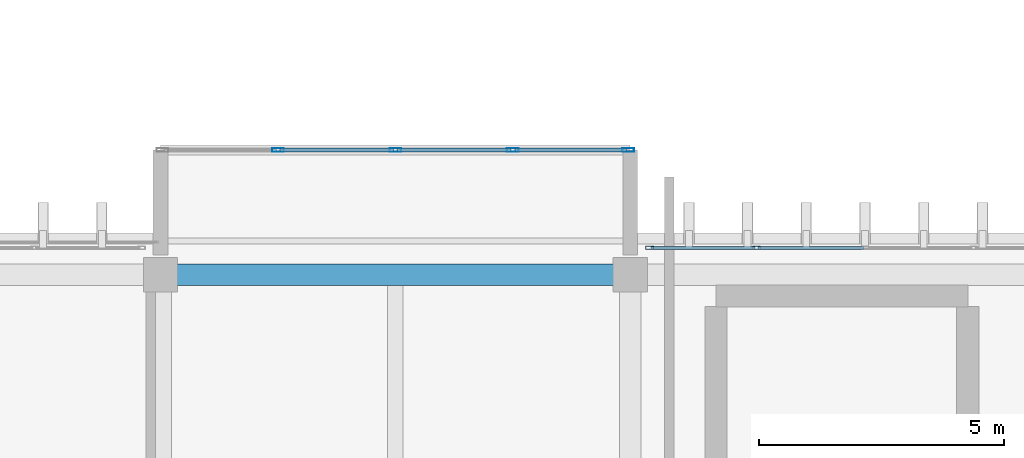
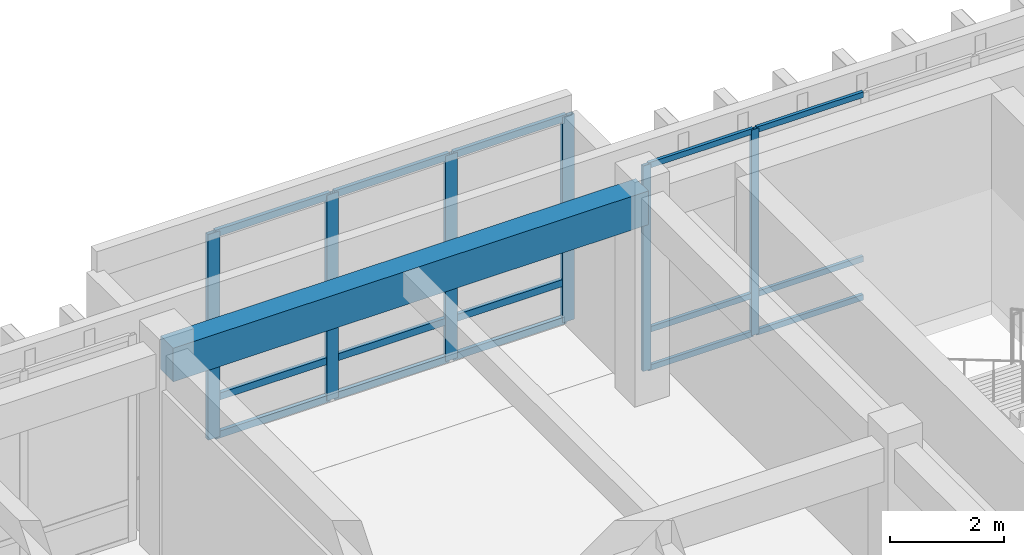
# One storey, part 50 of 133: 21 members, 1 beam, 2 elements without a shape of their own.
"""IFC4 building model written with IfcOpenShell, lengths in metres."""

import ifcopenshell
import ifcopenshell.guid

model = None  # the IFC model being written
_history = None  # IfcOwnerHistory: only IFC2X3 demands one
_inside = {}  # id of a spatial element -> (the spatial element, [elements in it])
_under = {}  # id of a project, library or spatial element -> (it, [spatial elements below it])
_declared = {}  # id of a project -> (the project, [libraries it declares])
_typed = {}  # id of a type object -> (the type object, [elements of that type])
_made_of = {}  # id of a material, layer set ... -> (it, [elements and type objects made of it])


def new_model(schema):
    """Start an empty IFC model of exactly this schema.

    Asked for "IFC4X3", IfcOpenShell would pick the latest addendum, in which some entities
    have other attributes; the version numbers below select the first issue.
    IFC2X3 requires an IfcOwnerHistory on every rooted entity: one is made here for all.
    """
    global model, _history
    if schema == "IFC4X3":
        model = ifcopenshell.file(schema_version=(4, 3, 0, 0))
    else:
        model = ifcopenshell.file(schema=schema)
    _inside.clear()
    _under.clear()
    _declared.clear()
    _typed.clear()
    _made_of.clear()
    _history = None
    if model.schema == "IFC2X3":
        org = make("IfcOrganization", Name="unknown")
        user = make(
            "IfcPersonAndOrganization",
            ThePerson=make("IfcPerson", FamilyName="unknown"),
            TheOrganization=org,
        )
        app = make(
            "IfcApplication",
            ApplicationDeveloper=org,
            Version="unknown",
            ApplicationFullName="unknown",
            ApplicationIdentifier="unknown",
        )
        _history = make(
            "IfcOwnerHistory",
            OwningUser=user,
            OwningApplication=app,
            ChangeAction="ADDED",
            CreationDate=0,
        )
    return model


def make(cls, **values):
    """One entity of the class cls with the attributes given. An attribute that is None is left unset."""
    return model.create_entity(
        cls, **{name: value for name, value in values.items() if value is not None}
    )


def rooted(cls, **values):
    """An entity with a GlobalId (a new one), such as an element, a storey or a relation."""
    return make(cls, GlobalId=ifcopenshell.guid.new(), OwnerHistory=_history, **values)


def si_unit(unit_type, name, prefix=None):
    """IfcSIUnit, for example si_unit("LENGTHUNIT", "METRE", prefix="MILLI")."""
    return make("IfcSIUnit", UnitType=unit_type, Prefix=prefix, Name=name)


def assignment(units):
    """IfcUnitAssignment: the units of a project."""
    return None if units is None else make("IfcUnitAssignment", Units=units)


def point(xyz):
    """IfcCartesianPoint."""
    return None if xyz is None else make("IfcCartesianPoint", Coordinates=xyz)


def direction(xyz):
    """IfcDirection."""
    return None if xyz is None else make("IfcDirection", DirectionRatios=xyz)


def frame(location, z_axis=None, x_axis=None):
    """IfcAxis2Placement3D, a coordinate frame: its origin and axes. An axis left out is left unset."""
    return make(
        "IfcAxis2Placement3D",
        Location=point(location),
        Axis=direction(z_axis),
        RefDirection=direction(x_axis),
    )


def frame_2d(location, x_axis=None):
    """IfcAxis2Placement2D, a coordinate frame in the plane: its origin and x axis."""
    return make(
        "IfcAxis2Placement2D", Location=point(location), RefDirection=direction(x_axis)
    )


def origin():
    """The frame at (0, 0, 0) with its axes left unset."""
    return frame((0.0, 0.0, 0.0))


def origin_2d():
    """The frame at (0, 0) in the plane with its x axis left unset."""
    return frame_2d((0.0, 0.0))


def place(relative_to, where):
    """IfcLocalPlacement: puts the frame where relative to a parent placement (None: the world)."""
    return make(
        "IfcLocalPlacement", PlacementRelTo=relative_to, RelativePlacement=where
    )


def context(
    kind, dimensions, precision=None, world=None, true_north=None, identifier=None
):
    """IfcGeometricRepresentationContext, for example the 3D "Model" context."""
    return make(
        "IfcGeometricRepresentationContext",
        ContextIdentifier=identifier,
        ContextType=kind,
        CoordinateSpaceDimension=dimensions,
        Precision=precision,
        WorldCoordinateSystem=world,
        TrueNorth=true_north,
    )


def subcontext(parent, identifier, kind, view, scale=None):
    """IfcGeometricRepresentationSubContext, for example "Body" below "Model"."""
    return make(
        "IfcGeometricRepresentationSubContext",
        ContextIdentifier=identifier,
        ContextType=kind,
        ParentContext=parent,
        TargetScale=scale,
        TargetView=view,
    )


def project(units=None, contexts=None):
    """IfcProject with its units and contexts."""
    return rooted(
        "IfcProject",
        Name="project",
        RepresentationContexts=contexts,
        UnitsInContext=assignment(units),
    )


def spatial(cls, under=None, at=None, **own):
    """A site, building, storey or space (cls), placed at a placement, below another one or the project."""
    s = rooted(cls, ObjectPlacement=at, **own)
    if under is not None:
        _under.setdefault(under.id(), (under, []))[1].append(s)
    return s


def profile(cls, at=None, kind="AREA", **sizes):
    """A parametric profile (cls). Its sizes go by their IFC names, for example OverallWidth=200.0."""
    return make(cls, ProfileType=kind, Position=at, **sizes)


def rectangle(**sizes):
    """IfcRectangleProfileDef."""
    return profile("IfcRectangleProfileDef", **sizes)


def hollow_rectangle(**sizes):
    """IfcRectangleHollowProfileDef."""
    return profile("IfcRectangleHollowProfileDef", **sizes)


def extrude(swept, where, along, depth):
    """IfcExtrudedAreaSolid: the profile swept, set in the frame where, extruded along a direction by depth."""
    return make(
        "IfcExtrudedAreaSolid",
        SweptArea=swept,
        Position=where,
        ExtrudedDirection=direction(along),
        Depth=depth,
    )


def shape(context_of_items, identifier, shape_type, items):
    """IfcShapeRepresentation: the items that make up one representation, for example the "Body"."""
    return make(
        "IfcShapeRepresentation",
        ContextOfItems=context_of_items,
        RepresentationIdentifier=identifier,
        RepresentationType=shape_type,
        Items=items,
    )


def material(Name=None, Category=None):
    """IfcMaterial."""
    return make("IfcMaterial", Name=Name, Category=Category)


def layer(
    of_material, thickness, ventilated=None, Name=None, Category=None, Priority=None
):
    """IfcMaterialLayer: one layer of a wall or slab, of a material (None: an air gap)."""
    return make(
        "IfcMaterialLayer",
        Material=of_material,
        LayerThickness=thickness,
        IsVentilated=ventilated,
        Name=Name,
        Category=Category,
        Priority=Priority,
    )


def layer_set(layers, Name=None):
    """IfcMaterialLayerSet."""
    return make("IfcMaterialLayerSet", MaterialLayers=layers, LayerSetName=Name)


def material_profile(
    of_material, cross_section, Name=None, Category=None, Priority=None
):
    """IfcMaterialProfile: a cross section and its material."""
    return make(
        "IfcMaterialProfile",
        Name=Name,
        Material=of_material,
        Profile=cross_section,
        Priority=Priority,
        Category=Category,
    )


def profile_set(profiles, Name=None, composite=None):
    """IfcMaterialProfileSet."""
    return make(
        "IfcMaterialProfileSet",
        Name=Name,
        MaterialProfiles=profiles,
        CompositeProfile=composite,
    )


def made_of(thing, what):
    """Note that an element or type object is made of a material, layer set ...; save() writes the relation."""
    if what is not None:
        _made_of.setdefault(what.id(), (what, []))[1].append(thing)
    return thing


def type_object(cls, material=None, **own):
    """A type object (cls), such as IfcWallType, which elements share."""
    return made_of(rooted(cls, **own), material)


def element(
    cls,
    number,
    at=None,
    inside=None,
    cuts=None,
    type_object=None,
    material=None,
    context=None,
    identifier="Body",
    shape_type=None,
    held_by="IfcProductDefinitionShape",
    body=None,
    shapes=None,
    **own,
):
    """One element of the class cls, such as IfcWall. Its Tag is "e" and its number.

    at: its placement. inside: the storey or other place that contains it. cuts: it is an
    opening in that element (IfcRelVoidsElement). A single representation is given by context,
    identifier, shape_type and body (its items); several are given by shapes. held_by: the class
    of the entity that holds the representations. save() writes the other relations.
    """
    e = rooted(cls, Tag="e%d" % number, ObjectPlacement=at, **own)
    if body is not None:
        shapes = [shape(context, identifier, shape_type, body)]
    if shapes is not None:
        e.Representation = make(held_by, Representations=shapes)
    if inside is not None:
        _inside.setdefault(inside.id(), (inside, []))[1].append(e)
    if cuts is not None:
        rooted(
            "IfcRelVoidsElement", RelatingBuildingElement=cuts, RelatedOpeningElement=e
        )
    if type_object is not None:
        _typed.setdefault(type_object.id(), (type_object, []))[1].append(e)
    return made_of(e, material)


def aggregate(whole, parts):
    """IfcRelAggregates: a whole, such as a stair, and the parts it consists of."""
    return rooted("IfcRelAggregates", RelatingObject=whole, RelatedObjects=parts)


def save(model, path):
    """Write the relations noted so far, then the file.

    IfcRelAggregates (storeys below a building ...), IfcRelContainedInSpatialStructure (elements
    in a storey), IfcRelDefinesByType, IfcRelAssociatesMaterial and IfcRelDeclares: one each for
    every whole, place, type object, material and project.
    """
    for whole, parts in _under.values():
        aggregate(whole, parts)
    for where, things in _inside.values():
        rooted(
            "IfcRelContainedInSpatialStructure",
            RelatedElements=things,
            RelatingStructure=where,
        )
    for kind, things in _typed.values():
        rooted("IfcRelDefinesByType", RelatedObjects=things, RelatingType=kind)
    for what, things in _made_of.values():
        rooted("IfcRelAssociatesMaterial", RelatedObjects=things, RelatingMaterial=what)
    for by, libraries in _declared.values():
        rooted("IfcRelDeclares", RelatingContext=by, RelatedDefinitions=libraries)
    model.write(path)


model = new_model("IFC4")

# Units and contexts
model_context = context("Model", 3, precision=1e-05, world=origin(), true_north=direction((0.0, 1.0)))
body_context = subcontext(model_context, "Body", "Model", "MODEL_VIEW")
ifc_project = project(units=[si_unit("LENGTHUNIT", "METRE"), si_unit("AREAUNIT", "SQUARE_METRE"), si_unit("VOLUMEUNIT", "CUBIC_METRE"), si_unit("PLANEANGLEUNIT", "RADIAN"), si_unit("MASSUNIT", "GRAM", prefix="KILO")], contexts=[model_context])

# Site, building, storey
site_placement = place(None, origin())
site = spatial("IfcSite", under=ifc_project, at=site_placement, CompositionType="ELEMENT")
building_placement = place(site_placement, origin())
building = spatial("IfcBuilding", under=site, at=building_placement, Name="Nakhvara Creek Congress Hotel", CompositionType="ELEMENT")
storey_placement = place(building_placement, frame((0.0, 0.0, 11.39990234375)))
storey = spatial("IfcBuildingStorey", under=building, at=storey_placement, Name="L02", CompositionType="ELEMENT", Elevation=11.39990234375)

# Beam
ifc_material_1 = material(Name="Concrete C40/50", Category="concrete")
ifc_material_profile_1 = material_profile(ifc_material_1, rectangle(XDim=0.43994140625, YDim=0.719970703125, at=origin_2d()), Name="RC-BM 440x720", Category="LoadBearing")
ifc_profile_set_1 = profile_set([ifc_material_profile_1], Name="Concrete C40/50")
beam_type = type_object("IfcBeamType", Name="BM-RC-440X720", PredefinedType="BEAM", material=ifc_profile_set_1)
beam_placement = place(storey_placement, frame((105.60009765625, 95.25, 4.06005859375), z_axis=(1.0, 0.0, 0.0), x_axis=(0.0, 1.0, 0.0)))
element("IfcBeam", 1, at=beam_placement, inside=storey, type_object=beam_type, Name="Beam B12-L02-1504", PredefinedType="BEAM", context=body_context, shape_type="SweptSolid", body=[
    extrude(rectangle(XDim=0.43994140625, YDim=0.719970703125, at=origin_2d()), origin(), (0.0, 0.0, 1.0), 9.599853515625),
])

# Curtain wall, members
ifc_material_2 = material(Name="Bronze-anodised aluminium AW-6063-T6 and double-silver low-E glass", Category="aluminium")
ifc_layer_1 = layer(ifc_material_2, 0.199951171875)
ifc_layer_set_1 = layer_set([ifc_layer_1], Name="Bronze-anodised aluminium AW-6063-T6 and double-silver low-E glass")
curtain_wall_type_1 = type_object("IfcCurtainWallType", Name="CW-POD-STICK", PredefinedType="NOTDEFINED", material=ifc_layer_set_1)
curtain_wall_1_placement = place(storey_placement, origin())
curtain_wall_1 = element("IfcCurtainWall", 2, at=curtain_wall_1_placement, inside=storey, type_object=curtain_wall_type_1, Name="Curtain Wall CW087", PredefinedType="NOTDEFINED")
ifc_material_3 = material(Name="Bronze-anodised aluminium AW-6063-T6", Category="aluminium")
ifc_material_profile_2 = material_profile(ifc_material_3, hollow_rectangle(XDim=0.06494140625, YDim=0.159912109375, WallThickness=0.00390625, at=origin_2d()), Name="ALU-MULL 65x160x4", Category="LoadBearing")
ifc_profile_set_2 = profile_set([ifc_material_profile_2], Name="Bronze-anodised aluminium AW-6063-T6")
member_type_1 = type_object("IfcMemberType", Name="CW-MULL-160", PredefinedType="MULLION", material=ifc_profile_set_2)
member_1_placement = place(storey_placement, frame((115.597412109375, 95.800048828125, 0.0), z_axis=(0.0, 0.0, 1.0), x_axis=(0.0, 1.0, 0.0)))
member_1 = element("IfcMember", 3, at=member_1_placement, type_object=member_type_1, Name="CW087 mullion 1", PredefinedType="MULLION", context=body_context, shape_type="SweptSolid", body=[
    extrude(hollow_rectangle(XDim=0.06494140625, YDim=0.159912109375, WallThickness=0.00390625, at=origin_2d()), origin(), (0.0, 0.0, 1.0), 4.39013671875),
])
member_2_placement = place(storey_placement, frame((117.782470703125, 95.800048828125, 0.0), z_axis=(0.0, 0.0, 1.0), x_axis=(0.0, 1.0, 0.0)))
member_2 = element("IfcMember", 4, at=member_2_placement, type_object=member_type_1, Name="CW087 mullion 2", PredefinedType="MULLION", context=body_context, shape_type="SweptSolid", body=[
    extrude(hollow_rectangle(XDim=0.06494140625, YDim=0.159912109375, WallThickness=0.00390625, at=origin_2d()), origin(), (0.0, 0.0, 1.0), 4.39013671875),
])

ifc_layer_2 = layer(ifc_material_2, 0.219970703125)
ifc_layer_set_2 = layer_set([ifc_layer_2], Name="Bronze-anodised aluminium AW-6063-T6 and double-silver low-E glass")
curtain_wall_type_2 = type_object("IfcCurtainWallType", Name="CW-BOX-PROJ", PredefinedType="USERDEFINED", material=ifc_layer_set_2)
curtain_wall_2_placement = place(storey_placement, origin())
curtain_wall_2 = element("IfcCurtainWall", 5, at=curtain_wall_2_placement, inside=storey, type_object=curtain_wall_type_2, Name="Curtain Wall CW082", ObjectType="UNITISED", PredefinedType="USERDEFINED")
ifc_material_profile_3 = material_profile(ifc_material_3, hollow_rectangle(XDim=0.080078125, YDim=0.239990234375, WallThickness=0.0048828125, at=origin_2d()), Name="ALU-MULL 80x240x5", Category="LoadBearing")
ifc_profile_set_3 = profile_set([ifc_material_profile_3], Name="Bronze-anodised aluminium AW-6063-T6")
member_type_2 = type_object("IfcMemberType", Name="CW-MULL-240", PredefinedType="MULLION", material=ifc_profile_set_3)
member_3_placement = place(storey_placement, frame((108.0, 97.800048828125, 0.0), z_axis=(0.0, 0.0, 1.0), x_axis=(0.0, 1.0, 0.0)))
member_3 = element("IfcMember", 6, at=member_3_placement, type_object=member_type_2, Name="CW082 mullion 2", PredefinedType="MULLION", context=body_context, shape_type="SweptSolid", body=[
    extrude(hollow_rectangle(XDim=0.080078125, YDim=0.239990234375, WallThickness=0.0048828125, at=origin_2d()), origin(), (0.0, 0.0, 1.0), 4.39013671875),
])
member_4_placement = place(storey_placement, frame((110.39990234375, 97.800048828125, 0.0), z_axis=(0.0, 0.0, 1.0), x_axis=(0.0, 1.0, 0.0)))
member_4 = element("IfcMember", 7, at=member_4_placement, type_object=member_type_2, Name="CW082 mullion 3", PredefinedType="MULLION", context=body_context, shape_type="SweptSolid", body=[
    extrude(hollow_rectangle(XDim=0.080078125, YDim=0.239990234375, WallThickness=0.0048828125, at=origin_2d()), origin(), (0.0, 0.0, 1.0), 4.39013671875),
])
member_5_placement = place(storey_placement, frame((112.800048828125, 97.800048828125, 0.0), z_axis=(0.0, 0.0, 1.0), x_axis=(0.0, 1.0, 0.0)))
member_5 = element("IfcMember", 8, at=member_5_placement, type_object=member_type_2, Name="CW082 mullion 4", PredefinedType="MULLION", context=body_context, shape_type="SweptSolid", body=[
    extrude(hollow_rectangle(XDim=0.080078125, YDim=0.239990234375, WallThickness=0.0048828125, at=origin_2d()), origin(), (0.0, 0.0, 1.0), 4.39013671875),
])
member_6_placement = place(storey_placement, frame((115.159912109375, 97.800048828125, 0.0), z_axis=(0.0, 0.0, 1.0), x_axis=(0.0, 1.0, 0.0)))
member_6 = element("IfcMember", 9, at=member_6_placement, type_object=member_type_2, Name="CW082 mullion 5", PredefinedType="MULLION", context=body_context, shape_type="SweptSolid", body=[
    extrude(hollow_rectangle(XDim=0.080078125, YDim=0.239990234375, WallThickness=0.0048828125, at=origin_2d()), origin(), (0.0, 0.0, 1.0), 4.39013671875),
])

# Member
ifc_material_profile_4 = material_profile(ifc_material_3, hollow_rectangle(XDim=0.06494140625, YDim=0.1201171875, WallThickness=0.00390625, at=origin_2d()), Name="ALU-TRAN 65x120x4", Category="LoadBearing")
ifc_profile_set_4 = profile_set([ifc_material_profile_4], Name="Bronze-anodised aluminium AW-6063-T6")
member_type_3 = type_object("IfcMemberType", Name="CW-TRAN-120", PredefinedType="USERDEFINED", material=ifc_profile_set_4)
member_7_placement = place(storey_placement, frame((115.6298828125, 95.800048828125, 0.03271484375), z_axis=(1.0, 0.0, 0.0), x_axis=(0.0, 1.0, 0.0)))
member_7 = element("IfcMember", 10, at=member_7_placement, type_object=member_type_3, Name="CW087 transom 1.1", ObjectType="TRANSOM", PredefinedType="USERDEFINED", context=body_context, shape_type="SweptSolid", body=[
    extrude(hollow_rectangle(XDim=0.06494140625, YDim=0.1201171875, WallThickness=0.00390625, at=origin_2d()), origin(), (0.0, 0.0, 1.0), 2.1201171875),
])

member_8_placement = place(storey_placement, frame((115.6298828125, 95.800048828125, 0.85009765625), z_axis=(1.0, 0.0, 0.0), x_axis=(0.0, 1.0, 0.0)))
member_8 = element("IfcMember", 11, at=member_8_placement, type_object=member_type_3, Name="CW087 transom 1.2", ObjectType="TRANSOM", PredefinedType="USERDEFINED", context=body_context, shape_type="SweptSolid", body=[
    extrude(hollow_rectangle(XDim=0.06494140625, YDim=0.1201171875, WallThickness=0.00390625, at=origin_2d()), origin(), (0.0, 0.0, 1.0), 2.1201171875),
])

member_9_placement = place(storey_placement, frame((115.6298828125, 95.800048828125, 4.357666015625), z_axis=(1.0, 0.0, 0.0), x_axis=(0.0, 1.0, 0.0)))
member_9 = element("IfcMember", 12, at=member_9_placement, type_object=member_type_3, Name="CW087 transom 1.3", ObjectType="TRANSOM", PredefinedType="USERDEFINED", context=body_context, shape_type="SweptSolid", body=[
    extrude(hollow_rectangle(XDim=0.06494140625, YDim=0.1201171875, WallThickness=0.00390625, at=origin_2d()), origin(), (0.0, 0.0, 1.0), 2.1201171875),
])

member_10_placement = place(storey_placement, frame((117.81494140625, 95.800048828125, 0.03271484375), z_axis=(1.0, 0.0, 0.0), x_axis=(0.0, 1.0, 0.0)))
member_10 = element("IfcMember", 13, at=member_10_placement, type_object=member_type_3, Name="CW087 transom 2.1", ObjectType="TRANSOM", PredefinedType="USERDEFINED", context=body_context, shape_type="SweptSolid", body=[
    extrude(hollow_rectangle(XDim=0.06494140625, YDim=0.1201171875, WallThickness=0.00390625, at=origin_2d()), origin(), (0.0, 0.0, 1.0), 2.152587890625),
])

member_11_placement = place(storey_placement, frame((117.81494140625, 95.800048828125, 0.85009765625), z_axis=(1.0, 0.0, 0.0), x_axis=(0.0, 1.0, 0.0)))
member_11 = element("IfcMember", 14, at=member_11_placement, type_object=member_type_3, Name="CW087 transom 2.2", ObjectType="TRANSOM", PredefinedType="USERDEFINED", context=body_context, shape_type="SweptSolid", body=[
    extrude(hollow_rectangle(XDim=0.06494140625, YDim=0.1201171875, WallThickness=0.00390625, at=origin_2d()), origin(), (0.0, 0.0, 1.0), 2.152587890625),
])

member_12_placement = place(storey_placement, frame((117.81494140625, 95.800048828125, 4.357666015625), z_axis=(1.0, 0.0, 0.0), x_axis=(0.0, 1.0, 0.0)))
member_12 = element("IfcMember", 15, at=member_12_placement, type_object=member_type_3, Name="CW087 transom 2.3", ObjectType="TRANSOM", PredefinedType="USERDEFINED", context=body_context, shape_type="SweptSolid", body=[
    extrude(hollow_rectangle(XDim=0.06494140625, YDim=0.1201171875, WallThickness=0.00390625, at=origin_2d()), origin(), (0.0, 0.0, 1.0), 2.152587890625),
])

aggregate(curtain_wall_1, [member_1, member_2, member_7, member_8, member_9, member_10, member_11, member_12])

ifc_material_profile_5 = material_profile(ifc_material_3, hollow_rectangle(XDim=0.074951171875, YDim=0.14990234375, WallThickness=0.00390625, at=origin_2d()), Name="ALU-TRAN 75x150x4", Category="LoadBearing")
ifc_profile_set_5 = profile_set([ifc_material_profile_5], Name="Bronze-anodised aluminium AW-6063-T6")
member_type_4 = type_object("IfcMemberType", Name="CW-TRAN-150", PredefinedType="USERDEFINED", material=ifc_profile_set_5)
member_13_placement = place(storey_placement, frame((108.0400390625, 97.800048828125, 0.03759765625), z_axis=(1.0, 0.0, 0.0), x_axis=(0.0, 1.0, 0.0)))
member_13 = element("IfcMember", 16, at=member_13_placement, type_object=member_type_4, Name="CW082 transom 2.1", ObjectType="TRANSOM", PredefinedType="USERDEFINED", context=body_context, shape_type="SweptSolid", body=[
    extrude(hollow_rectangle(XDim=0.074951171875, YDim=0.14990234375, WallThickness=0.00390625, at=origin_2d()), origin(), (0.0, 0.0, 1.0), 2.320068359375),
])

member_14_placement = place(storey_placement, frame((108.0400390625, 97.800048828125, 0.85009765625), z_axis=(1.0, 0.0, 0.0), x_axis=(0.0, 1.0, 0.0)))
member_14 = element("IfcMember", 17, at=member_14_placement, type_object=member_type_4, Name="CW082 transom 2.2", ObjectType="TRANSOM", PredefinedType="USERDEFINED", context=body_context, shape_type="SweptSolid", body=[
    extrude(hollow_rectangle(XDim=0.074951171875, YDim=0.14990234375, WallThickness=0.00390625, at=origin_2d()), origin(), (0.0, 0.0, 1.0), 2.320068359375),
])

member_15_placement = place(storey_placement, frame((108.0400390625, 97.800048828125, 4.3525390625), z_axis=(1.0, 0.0, 0.0), x_axis=(0.0, 1.0, 0.0)))
member_15 = element("IfcMember", 18, at=member_15_placement, type_object=member_type_4, Name="CW082 transom 2.3", ObjectType="TRANSOM", PredefinedType="USERDEFINED", context=body_context, shape_type="SweptSolid", body=[
    extrude(hollow_rectangle(XDim=0.074951171875, YDim=0.14990234375, WallThickness=0.00390625, at=origin_2d()), origin(), (0.0, 0.0, 1.0), 2.320068359375),
])

member_16_placement = place(storey_placement, frame((110.43994140625, 97.800048828125, 0.03759765625), z_axis=(1.0, 0.0, 0.0), x_axis=(0.0, 1.0, 0.0)))
member_16 = element("IfcMember", 19, at=member_16_placement, type_object=member_type_4, Name="CW082 transom 3.1", ObjectType="TRANSOM", PredefinedType="USERDEFINED", context=body_context, shape_type="SweptSolid", body=[
    extrude(hollow_rectangle(XDim=0.074951171875, YDim=0.14990234375, WallThickness=0.00390625, at=origin_2d()), origin(), (0.0, 0.0, 1.0), 2.320068359375),
])

member_17_placement = place(storey_placement, frame((110.43994140625, 97.800048828125, 0.85009765625), z_axis=(1.0, 0.0, 0.0), x_axis=(0.0, 1.0, 0.0)))
member_17 = element("IfcMember", 20, at=member_17_placement, type_object=member_type_4, Name="CW082 transom 3.2", ObjectType="TRANSOM", PredefinedType="USERDEFINED", context=body_context, shape_type="SweptSolid", body=[
    extrude(hollow_rectangle(XDim=0.074951171875, YDim=0.14990234375, WallThickness=0.00390625, at=origin_2d()), origin(), (0.0, 0.0, 1.0), 2.320068359375),
])

member_18_placement = place(storey_placement, frame((110.43994140625, 97.800048828125, 4.3525390625), z_axis=(1.0, 0.0, 0.0), x_axis=(0.0, 1.0, 0.0)))
member_18 = element("IfcMember", 21, at=member_18_placement, type_object=member_type_4, Name="CW082 transom 3.3", ObjectType="TRANSOM", PredefinedType="USERDEFINED", context=body_context, shape_type="SweptSolid", body=[
    extrude(hollow_rectangle(XDim=0.074951171875, YDim=0.14990234375, WallThickness=0.00390625, at=origin_2d()), origin(), (0.0, 0.0, 1.0), 2.320068359375),
])

member_19_placement = place(storey_placement, frame((112.840087890625, 97.800048828125, 0.03759765625), z_axis=(1.0, 0.0, 0.0), x_axis=(0.0, 1.0, 0.0)))
member_19 = element("IfcMember", 22, at=member_19_placement, type_object=member_type_4, Name="CW082 transom 4.1", ObjectType="TRANSOM", PredefinedType="USERDEFINED", context=body_context, shape_type="SweptSolid", body=[
    extrude(hollow_rectangle(XDim=0.074951171875, YDim=0.14990234375, WallThickness=0.00390625, at=origin_2d()), origin(), (0.0, 0.0, 1.0), 2.280029296875),
])

member_20_placement = place(storey_placement, frame((112.840087890625, 97.800048828125, 0.85009765625), z_axis=(1.0, 0.0, 0.0), x_axis=(0.0, 1.0, 0.0)))
member_20 = element("IfcMember", 23, at=member_20_placement, type_object=member_type_4, Name="CW082 transom 4.2", ObjectType="TRANSOM", PredefinedType="USERDEFINED", context=body_context, shape_type="SweptSolid", body=[
    extrude(hollow_rectangle(XDim=0.074951171875, YDim=0.14990234375, WallThickness=0.00390625, at=origin_2d()), origin(), (0.0, 0.0, 1.0), 2.280029296875),
])

member_21_placement = place(storey_placement, frame((112.840087890625, 97.800048828125, 4.3525390625), z_axis=(1.0, 0.0, 0.0), x_axis=(0.0, 1.0, 0.0)))
member_21 = element("IfcMember", 24, at=member_21_placement, type_object=member_type_4, Name="CW082 transom 4.3", ObjectType="TRANSOM", PredefinedType="USERDEFINED", context=body_context, shape_type="SweptSolid", body=[
    extrude(hollow_rectangle(XDim=0.074951171875, YDim=0.14990234375, WallThickness=0.00390625, at=origin_2d()), origin(), (0.0, 0.0, 1.0), 2.280029296875),
])

aggregate(curtain_wall_2, [member_3, member_4, member_5, member_6, member_13, member_14, member_15, member_16, member_17, member_18, member_19, member_20, member_21])

save(model, "model.ifc")
